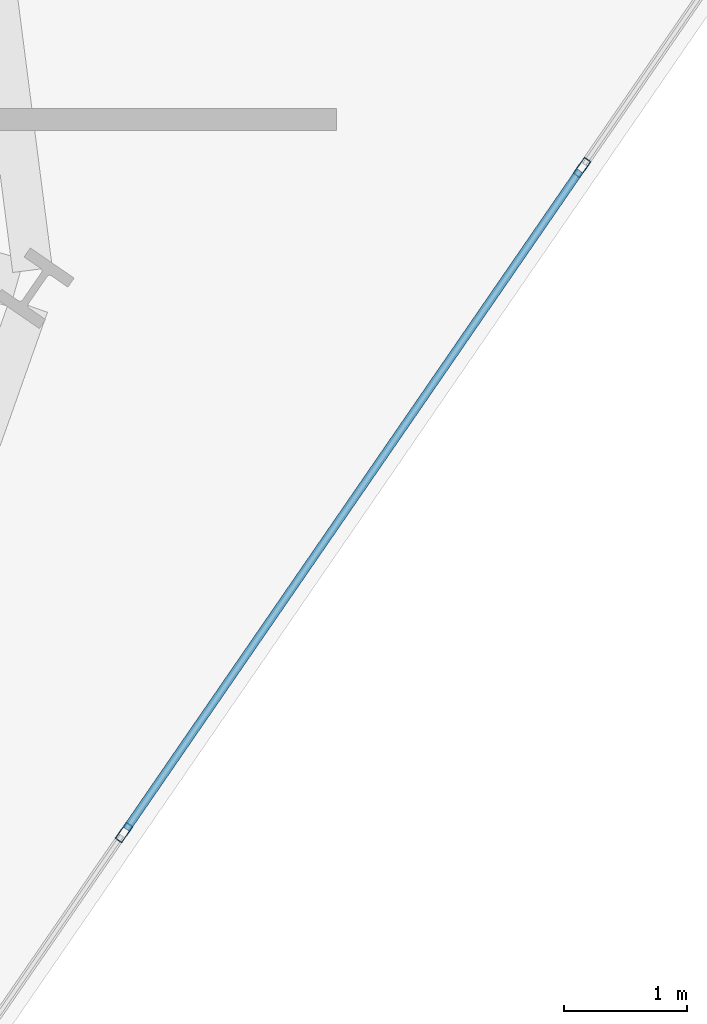
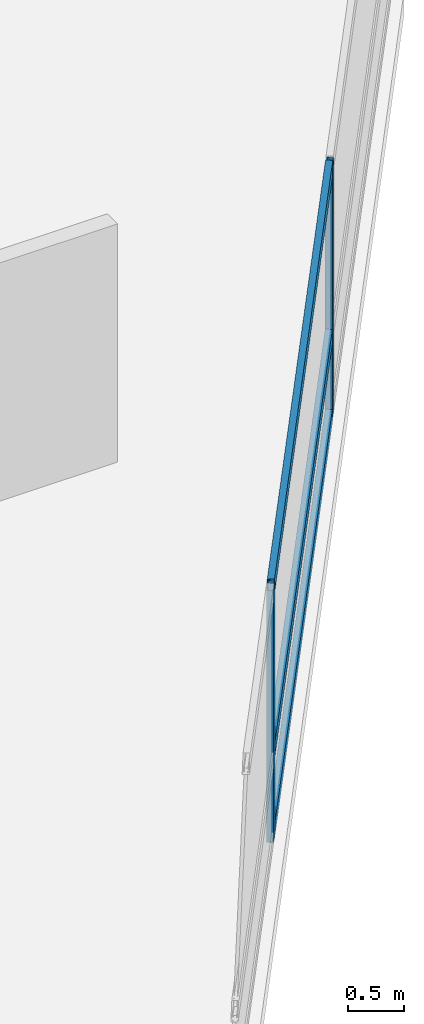
# One storey, part 11 of 26: 5 members, 1 element without a shape of its own.
"""IFC4 building model written with IfcOpenShell, lengths in metres."""

import ifcopenshell
import ifcopenshell.guid

model = None  # the IFC model being written
_history = None  # IfcOwnerHistory: only IFC2X3 demands one
_inside = {}  # id of a spatial element -> (the spatial element, [elements in it])
_under = {}  # id of a project, library or spatial element -> (it, [spatial elements below it])
_declared = {}  # id of a project -> (the project, [libraries it declares])
_typed = {}  # id of a type object -> (the type object, [elements of that type])
_made_of = {}  # id of a material, layer set ... -> (it, [elements and type objects made of it])


def new_model(schema):
    """Start an empty IFC model of exactly this schema.

    Asked for "IFC4X3", IfcOpenShell would pick the latest addendum, in which some entities
    have other attributes; the version numbers below select the first issue.
    IFC2X3 requires an IfcOwnerHistory on every rooted entity: one is made here for all.
    """
    global model, _history
    if schema == "IFC4X3":
        model = ifcopenshell.file(schema_version=(4, 3, 0, 0))
    else:
        model = ifcopenshell.file(schema=schema)
    _inside.clear()
    _under.clear()
    _declared.clear()
    _typed.clear()
    _made_of.clear()
    _history = None
    if model.schema == "IFC2X3":
        org = make("IfcOrganization", Name="unknown")
        user = make(
            "IfcPersonAndOrganization",
            ThePerson=make("IfcPerson", FamilyName="unknown"),
            TheOrganization=org,
        )
        app = make(
            "IfcApplication",
            ApplicationDeveloper=org,
            Version="unknown",
            ApplicationFullName="unknown",
            ApplicationIdentifier="unknown",
        )
        _history = make(
            "IfcOwnerHistory",
            OwningUser=user,
            OwningApplication=app,
            ChangeAction="ADDED",
            CreationDate=0,
        )
    return model


def make(cls, **values):
    """One entity of the class cls with the attributes given. An attribute that is None is left unset."""
    return model.create_entity(
        cls, **{name: value for name, value in values.items() if value is not None}
    )


def rooted(cls, **values):
    """An entity with a GlobalId (a new one), such as an element, a storey or a relation."""
    return make(cls, GlobalId=ifcopenshell.guid.new(), OwnerHistory=_history, **values)


def si_unit(unit_type, name, prefix=None):
    """IfcSIUnit, for example si_unit("LENGTHUNIT", "METRE", prefix="MILLI")."""
    return make("IfcSIUnit", UnitType=unit_type, Prefix=prefix, Name=name)


def assignment(units):
    """IfcUnitAssignment: the units of a project."""
    return None if units is None else make("IfcUnitAssignment", Units=units)


def point(xyz):
    """IfcCartesianPoint."""
    return None if xyz is None else make("IfcCartesianPoint", Coordinates=xyz)


def direction(xyz):
    """IfcDirection."""
    return None if xyz is None else make("IfcDirection", DirectionRatios=xyz)


def frame(location, z_axis=None, x_axis=None):
    """IfcAxis2Placement3D, a coordinate frame: its origin and axes. An axis left out is left unset."""
    return make(
        "IfcAxis2Placement3D",
        Location=point(location),
        Axis=direction(z_axis),
        RefDirection=direction(x_axis),
    )


def frame_2d(location, x_axis=None):
    """IfcAxis2Placement2D, a coordinate frame in the plane: its origin and x axis."""
    return make(
        "IfcAxis2Placement2D", Location=point(location), RefDirection=direction(x_axis)
    )


def origin():
    """The frame at (0, 0, 0) with its axes left unset."""
    return frame((0.0, 0.0, 0.0))


def origin_2d():
    """The frame at (0, 0) in the plane with its x axis left unset."""
    return frame_2d((0.0, 0.0))


def place(relative_to, where):
    """IfcLocalPlacement: puts the frame where relative to a parent placement (None: the world)."""
    return make(
        "IfcLocalPlacement", PlacementRelTo=relative_to, RelativePlacement=where
    )


def context(
    kind, dimensions, precision=None, world=None, true_north=None, identifier=None
):
    """IfcGeometricRepresentationContext, for example the 3D "Model" context."""
    return make(
        "IfcGeometricRepresentationContext",
        ContextIdentifier=identifier,
        ContextType=kind,
        CoordinateSpaceDimension=dimensions,
        Precision=precision,
        WorldCoordinateSystem=world,
        TrueNorth=true_north,
    )


def subcontext(parent, identifier, kind, view, scale=None):
    """IfcGeometricRepresentationSubContext, for example "Body" below "Model"."""
    return make(
        "IfcGeometricRepresentationSubContext",
        ContextIdentifier=identifier,
        ContextType=kind,
        ParentContext=parent,
        TargetScale=scale,
        TargetView=view,
    )


def project(units=None, contexts=None):
    """IfcProject with its units and contexts."""
    return rooted(
        "IfcProject",
        Name="project",
        RepresentationContexts=contexts,
        UnitsInContext=assignment(units),
    )


def spatial(cls, under=None, at=None, **own):
    """A site, building, storey or space (cls), placed at a placement, below another one or the project."""
    s = rooted(cls, ObjectPlacement=at, **own)
    if under is not None:
        _under.setdefault(under.id(), (under, []))[1].append(s)
    return s


def profile(cls, at=None, kind="AREA", **sizes):
    """A parametric profile (cls). Its sizes go by their IFC names, for example OverallWidth=200.0."""
    return make(cls, ProfileType=kind, Position=at, **sizes)


def hollow_rectangle(**sizes):
    """IfcRectangleHollowProfileDef."""
    return profile("IfcRectangleHollowProfileDef", **sizes)


def extrude(swept, where, along, depth):
    """IfcExtrudedAreaSolid: the profile swept, set in the frame where, extruded along a direction by depth."""
    return make(
        "IfcExtrudedAreaSolid",
        SweptArea=swept,
        Position=where,
        ExtrudedDirection=direction(along),
        Depth=depth,
    )


def shape(context_of_items, identifier, shape_type, items):
    """IfcShapeRepresentation: the items that make up one representation, for example the "Body"."""
    return make(
        "IfcShapeRepresentation",
        ContextOfItems=context_of_items,
        RepresentationIdentifier=identifier,
        RepresentationType=shape_type,
        Items=items,
    )


def material(Name=None, Category=None):
    """IfcMaterial."""
    return make("IfcMaterial", Name=Name, Category=Category)


def layer(
    of_material, thickness, ventilated=None, Name=None, Category=None, Priority=None
):
    """IfcMaterialLayer: one layer of a wall or slab, of a material (None: an air gap)."""
    return make(
        "IfcMaterialLayer",
        Material=of_material,
        LayerThickness=thickness,
        IsVentilated=ventilated,
        Name=Name,
        Category=Category,
        Priority=Priority,
    )


def layer_set(layers, Name=None):
    """IfcMaterialLayerSet."""
    return make("IfcMaterialLayerSet", MaterialLayers=layers, LayerSetName=Name)


def material_profile(
    of_material, cross_section, Name=None, Category=None, Priority=None
):
    """IfcMaterialProfile: a cross section and its material."""
    return make(
        "IfcMaterialProfile",
        Name=Name,
        Material=of_material,
        Profile=cross_section,
        Priority=Priority,
        Category=Category,
    )


def profile_set(profiles, Name=None, composite=None):
    """IfcMaterialProfileSet."""
    return make(
        "IfcMaterialProfileSet",
        Name=Name,
        MaterialProfiles=profiles,
        CompositeProfile=composite,
    )


def made_of(thing, what):
    """Note that an element or type object is made of a material, layer set ...; save() writes the relation."""
    if what is not None:
        _made_of.setdefault(what.id(), (what, []))[1].append(thing)
    return thing


def type_object(cls, material=None, **own):
    """A type object (cls), such as IfcWallType, which elements share."""
    return made_of(rooted(cls, **own), material)


def element(
    cls,
    number,
    at=None,
    inside=None,
    cuts=None,
    type_object=None,
    material=None,
    context=None,
    identifier="Body",
    shape_type=None,
    held_by="IfcProductDefinitionShape",
    body=None,
    shapes=None,
    **own,
):
    """One element of the class cls, such as IfcWall. Its Tag is "e" and its number.

    at: its placement. inside: the storey or other place that contains it. cuts: it is an
    opening in that element (IfcRelVoidsElement). A single representation is given by context,
    identifier, shape_type and body (its items); several are given by shapes. held_by: the class
    of the entity that holds the representations. save() writes the other relations.
    """
    e = rooted(cls, Tag="e%d" % number, ObjectPlacement=at, **own)
    if body is not None:
        shapes = [shape(context, identifier, shape_type, body)]
    if shapes is not None:
        e.Representation = make(held_by, Representations=shapes)
    if inside is not None:
        _inside.setdefault(inside.id(), (inside, []))[1].append(e)
    if cuts is not None:
        rooted(
            "IfcRelVoidsElement", RelatingBuildingElement=cuts, RelatedOpeningElement=e
        )
    if type_object is not None:
        _typed.setdefault(type_object.id(), (type_object, []))[1].append(e)
    return made_of(e, material)


def aggregate(whole, parts):
    """IfcRelAggregates: a whole, such as a stair, and the parts it consists of."""
    return rooted("IfcRelAggregates", RelatingObject=whole, RelatedObjects=parts)


def save(model, path):
    """Write the relations noted so far, then the file.

    IfcRelAggregates (storeys below a building ...), IfcRelContainedInSpatialStructure (elements
    in a storey), IfcRelDefinesByType, IfcRelAssociatesMaterial and IfcRelDeclares: one each for
    every whole, place, type object, material and project.
    """
    for whole, parts in _under.values():
        aggregate(whole, parts)
    for where, things in _inside.values():
        rooted(
            "IfcRelContainedInSpatialStructure",
            RelatedElements=things,
            RelatingStructure=where,
        )
    for kind, things in _typed.values():
        rooted("IfcRelDefinesByType", RelatedObjects=things, RelatingType=kind)
    for what, things in _made_of.values():
        rooted("IfcRelAssociatesMaterial", RelatedObjects=things, RelatingMaterial=what)
    for by, libraries in _declared.values():
        rooted("IfcRelDeclares", RelatingContext=by, RelatedDefinitions=libraries)
    model.write(path)


model = new_model("IFC4")

# Units and contexts
model_context = context("Model", 3, precision=1e-05, world=origin(), true_north=direction((0.0, 1.0)))
body_context = subcontext(model_context, "Body", "Model", "MODEL_VIEW")
ifc_project = project(units=[si_unit("LENGTHUNIT", "METRE"), si_unit("AREAUNIT", "SQUARE_METRE"), si_unit("VOLUMEUNIT", "CUBIC_METRE"), si_unit("PLANEANGLEUNIT", "RADIAN"), si_unit("MASSUNIT", "GRAM", prefix="KILO")], contexts=[model_context])

# Site, building, storey
site_placement = place(None, origin())
site = spatial("IfcSite", under=ifc_project, at=site_placement, CompositionType="ELEMENT")
building_placement = place(site_placement, origin())
building = spatial("IfcBuilding", under=site, at=building_placement, Name="Varnelok Gate Tower", CompositionType="ELEMENT")
storey_placement = place(building_placement, frame((0.0, 0.0, 45.5)))
storey = spatial("IfcBuildingStorey", under=building, at=storey_placement, Name="L10", CompositionType="ELEMENT", Elevation=45.5)

# Curtain wall, members
ifc_material = material(Name="Anodized Aluminum Alloy 6063-T6", Category="aluminium")
ifc_layer = layer(ifc_material, 0.179931640625)
ifc_layer_set = layer_set([ifc_layer], Name="Anodized Aluminum Alloy 6063-T6")
curtain_wall_type = type_object("IfcCurtainWallType", Name="CW3-HOTEL-VISION", PredefinedType="USERDEFINED", material=ifc_layer_set)
curtain_wall_placement = place(storey_placement, origin())
curtain_wall = element("IfcCurtainWall", 1, at=curtain_wall_placement, inside=storey, type_object=curtain_wall_type, Name="L10 East End Vision Curtain Wall", ObjectType="UNITISED CURTAIN WALL", PredefinedType="USERDEFINED")
ifc_material_profile_1 = material_profile(ifc_material, hollow_rectangle(XDim=0.06494140625, YDim=0.159912109375, WallThickness=0.00390625, at=origin_2d()), Name="ALU160X65X4")
ifc_profile_set_1 = profile_set([ifc_material_profile_1], Name="Anodized Aluminum Alloy 6063-T6")
member_type_1 = type_object("IfcMemberType", Name="CW-MULL-160", PredefinedType="MULLION", material=ifc_profile_set_1)
member_1_placement = place(storey_placement, frame((78.8173828125, 13.958251953125, 0.0), z_axis=(0.0, 0.0, 1.0), x_axis=(0.823532685111, -0.567268822124, 0.0)))
member_1 = element("IfcMember", 2, at=member_1_placement, type_object=member_type_1, Name="CW3 mullion 2", PredefinedType="MULLION", context=body_context, shape_type="SweptSolid", body=[
    extrude(hollow_rectangle(XDim=0.06494140625, YDim=0.159912109375, WallThickness=0.00390625, at=origin_2d()), origin(), (0.0, 0.0, 1.0), 2.72998046875),
])
member_2_placement = place(storey_placement, frame((75.09228515625, 8.55029296875, 0.0), z_axis=(0.0, 0.0, 1.0), x_axis=(0.823532685111, -0.567268822124, 0.0)))
member_2 = element("IfcMember", 3, at=member_2_placement, type_object=member_type_1, Name="CW3 mullion 3", PredefinedType="MULLION", context=body_context, shape_type="SweptSolid", body=[
    extrude(hollow_rectangle(XDim=0.06494140625, YDim=0.159912109375, WallThickness=0.00390625, at=origin_2d()), origin(), (0.0, 0.0, 1.0), 2.72998046875),
])
ifc_material_profile_2 = material_profile(ifc_material, hollow_rectangle(XDim=0.06494140625, YDim=0.159912109375, WallThickness=0.00390625, at=origin_2d()), Name="ALU160X65X4")
ifc_profile_set_2 = profile_set([ifc_material_profile_2], Name="Anodized Aluminum Alloy 6063-T6")
member_type_2 = type_object("IfcMemberType", Name="CW-TRAN-160", PredefinedType="USERDEFINED", material=ifc_profile_set_2)
member_3_placement = place(storey_placement, frame((78.798828125, 13.931396484375, 0.032470703125), z_axis=(-0.567279204469, -0.823525533409, 0.0), x_axis=(0.823525533409, -0.567279204469, 0.0)))
member_3 = element("IfcMember", 4, at=member_3_placement, type_object=member_type_2, Name="CW3 transom 2.1", ObjectType="TRANSOM", PredefinedType="USERDEFINED", context=body_context, shape_type="SweptSolid", body=[
    extrude(hollow_rectangle(XDim=0.06494140625, YDim=0.159912109375, WallThickness=0.00390625, at=origin_2d()), origin(), (0.0, 0.0, 1.0), 6.501708984375),
])
member_4_placement = place(storey_placement, frame((78.798828125, 13.931396484375, 0.89990234375), z_axis=(-0.567279204469, -0.823525533409, 0.0), x_axis=(0.823525533409, -0.567279204469, 0.0)))
member_4 = element("IfcMember", 5, at=member_4_placement, type_object=member_type_2, Name="CW3 transom 2.2", ObjectType="TRANSOM", PredefinedType="USERDEFINED", context=body_context, shape_type="SweptSolid", body=[
    extrude(hollow_rectangle(XDim=0.06494140625, YDim=0.159912109375, WallThickness=0.00390625, at=origin_2d()), origin(), (0.0, 0.0, 1.0), 6.501708984375),
])
member_5_placement = place(storey_placement, frame((78.798828125, 13.931396484375, 2.697509765625), z_axis=(-0.567279204469, -0.823525533409, 0.0), x_axis=(0.823525533409, -0.567279204469, 0.0)))
member_5 = element("IfcMember", 6, at=member_5_placement, type_object=member_type_2, Name="CW3 transom 2.3", ObjectType="TRANSOM", PredefinedType="USERDEFINED", context=body_context, shape_type="SweptSolid", body=[
    extrude(hollow_rectangle(XDim=0.06494140625, YDim=0.159912109375, WallThickness=0.00390625, at=origin_2d()), origin(), (0.0, 0.0, 1.0), 6.501708984375),
])
aggregate(curtain_wall, [member_1, member_2, member_3, member_4, member_5])

save(model, "model.ifc")
